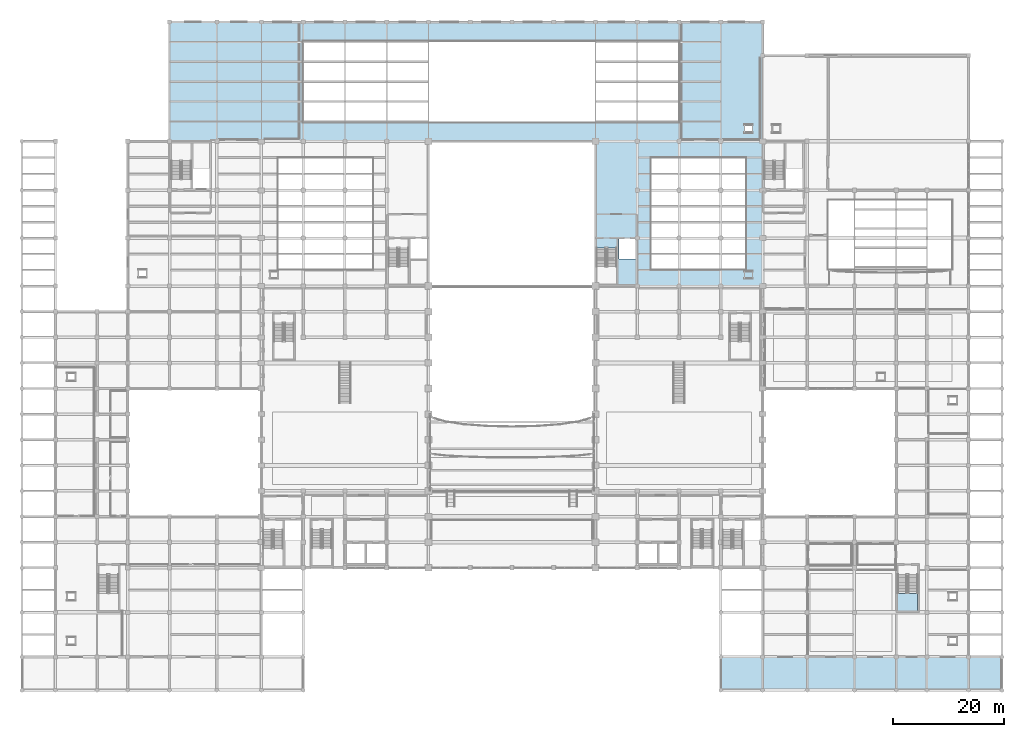
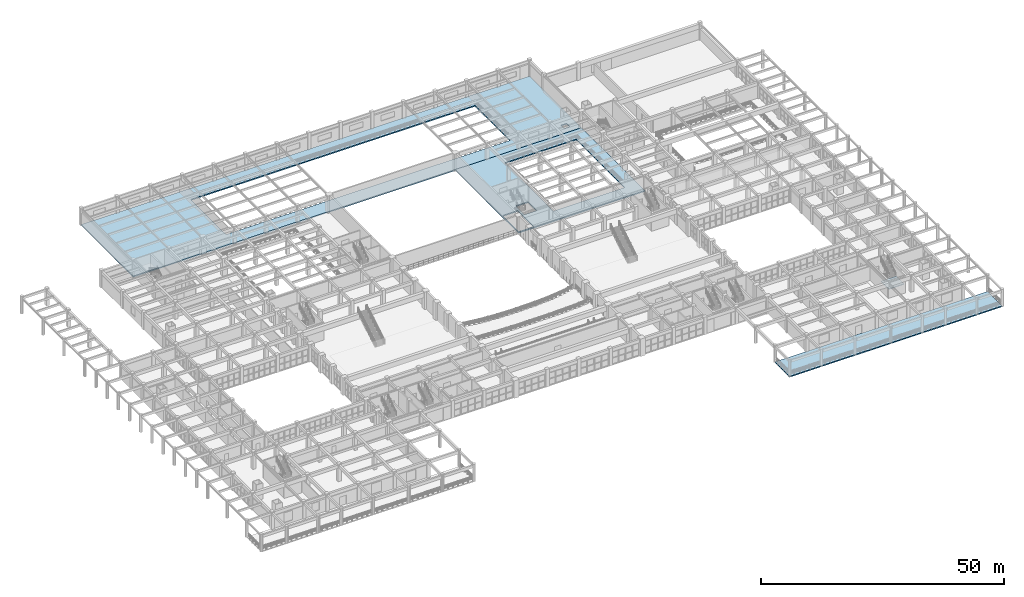
# One storey, part 90 of 116: 4 slabs, 1 element without a shape of its own.
"""IFC4 building model written with IfcOpenShell, lengths in metres."""

from ifc_helpers import new_model, si_unit, direction, frame, origin, place, context, subcontext, project, spatial, polyline, outline, extrude, material, layer, layer_set, type_object, element, aggregate, save


model = new_model("IFC4")

# Units and contexts
model_context = context("Model", 3, precision=1e-05, world=origin(), true_north=direction((0.0, 1.0)))
body_context = subcontext(model_context, "Body", "Model", "MODEL_VIEW")
ifc_project = project(units=[si_unit("LENGTHUNIT", "METRE"), si_unit("AREAUNIT", "SQUARE_METRE"), si_unit("VOLUMEUNIT", "CUBIC_METRE"), si_unit("PLANEANGLEUNIT", "RADIAN"), si_unit("MASSUNIT", "GRAM", prefix="KILO")], contexts=[model_context])

# Site, building, storey
site_placement = place(None, origin())
site = spatial("IfcSite", under=ifc_project, at=site_placement, CompositionType="ELEMENT")
building_placement = place(site_placement, origin())
building = spatial("IfcBuilding", under=site, at=building_placement, Name="Muzn Square Opera House", CompositionType="ELEMENT")
storey_placement = place(building_placement, frame((0.0, 0.0, 5.39990234375)))
storey = spatial("IfcBuildingStorey", under=building, at=storey_placement, Name="L01", CompositionType="ELEMENT", Elevation=5.39990234375)

# Slabs
ifc_material = material(Name="Concrete C40/50", Category="concrete")
ifc_layer_1 = layer(ifc_material, 0.280029296875, Name="Concrete C40/50", Category="concrete")
ifc_layer_set_1 = layer_set([ifc_layer_1], Name="Concrete C40/50")
slab_type_1 = type_object("IfcSlabType", Name="Floor Slab 280mm", PredefinedType="FLOOR", material=ifc_layer_set_1)
slab_1_placement = place(storey_placement, frame((0.0, 0.0, -0.27978515625)))
element("IfcSlab", 1, at=slab_1_placement, inside=storey, type_object=slab_type_1, Name="Floor Slab SLB-L01-SIDEE", PredefinedType="FLOOR", context=body_context, shape_type="SweptSolid", body=[
    extrude(outline(polyline([(103.0, 72.60009765625), (133.0, 72.60009765625), (133.0, 98.60009765625), (103.0, 98.60009765625), (103.0, 72.60009765625)]), holes=[polyline([(113.0, 75.60009765625), (130.0, 75.60009765625), (130.0, 95.60009765625), (113.0, 95.60009765625), (113.0, 75.60009765625)]), polyline([(103.169921875, 72.89990234375), (106.77001953125, 72.89990234375), (106.77001953125, 79.431884765625), (103.169921875, 79.431884765625), (103.169921875, 72.89990234375)]), polyline([(107.199951171875, 77.5), (110.199951171875, 77.5), (110.199951171875, 81.10009765625), (107.199951171875, 81.10009765625), (107.199951171875, 77.5)])]), origin(), (0.0, 0.0, 1.0), 0.27978515625),
])
slab_2_placement = place(storey_placement, frame((0.0, 0.0, -0.27978515625)))
element("IfcSlab", 2, at=slab_2_placement, inside=storey, type_object=slab_type_1, Name="Floor Slab SLB-L01-REAR", PredefinedType="FLOOR", context=body_context, shape_type="SweptSolid", body=[
    extrude(outline(polyline([(26.5, 98.60009765625), (133.0, 98.60009765625), (133.0, 120.0), (26.5, 120.0), (26.5, 98.60009765625)]), holes=[polyline([(50.5, 102.0), (118.0, 102.0), (118.0, 116.5), (50.5, 116.5), (50.5, 102.0)]), polyline([(129.800048828125, 100.199951171875), (131.10009765625, 100.199951171875), (131.10009765625, 101.5), (129.800048828125, 101.5), (129.800048828125, 100.199951171875)])]), origin(), (0.0, 0.0, 1.0), 0.27978515625),
])

# Stair, slab
stair_type = type_object("IfcStairType", Name="Core Escape Dogleg Stair", PredefinedType="HALF_TURN_STAIR", material=ifc_material)
stair_placement = place(storey_placement, origin())
stair = element("IfcStair", 3, at=stair_placement, inside=storey, type_object=stair_type, Name="L01 Escape Stair ST-8", PredefinedType="HALF_TURN_STAIR")
ifc_layer_2 = layer(ifc_material, 0.199951171875, Name="Concrete C40/50", Category="concrete")
ifc_layer_set_2 = layer_set([ifc_layer_2], Name="Concrete C40/50")
slab_type_2 = type_object("IfcSlabType", Name="Stair Half Landing 200mm", PredefinedType="LANDING", material=ifc_layer_set_2)
slab_3_placement = place(storey_placement, frame((0.0, 0.0, 2.0)))
slab_3 = element("IfcSlab", 4, at=slab_3_placement, type_object=slab_type_2, Name="ST-8 landing 1", PredefinedType="LANDING", context=body_context, shape_type="SweptSolid", body=[
    extrude(outline(polyline([(157.25, 17.429931640625), (157.25, 14.25), (160.85009765625, 14.25), (160.85009765625, 17.429931640625), (157.25, 17.429931640625)])), origin(), (0.0, 0.0, 1.0), 0.2001953125),
])
aggregate(stair, [slab_3])

# Slab
ifc_layer_3 = layer(ifc_material, 0.260009765625, Name="Concrete C40/50", Category="concrete")
ifc_layer_set_3 = layer_set([ifc_layer_3], Name="Concrete C40/50")
slab_type_3 = type_object("IfcSlabType", Name="Terrace Slab 260mm", PredefinedType="FLOOR", material=ifc_layer_set_3)
slab_4_placement = place(storey_placement, frame((0.0, 0.0, -0.260009765625)))
element("IfcSlab", 5, at=slab_4_placement, inside=storey, type_object=slab_type_3, Name="Outdoor Terrace Slab EXT-L01-COL-ES", PredefinedType="FLOOR", context=body_context, shape_type="SweptSolid", body=[
    extrude(outline(polyline([(125.5, 0.0), (176.0, 0.0), (176.0, 6.0), (125.5, 6.0), (125.5, 0.0)])), origin(), (0.0, 0.0, 1.0), 0.260009765625),
])

save(model, "model.ifc")
